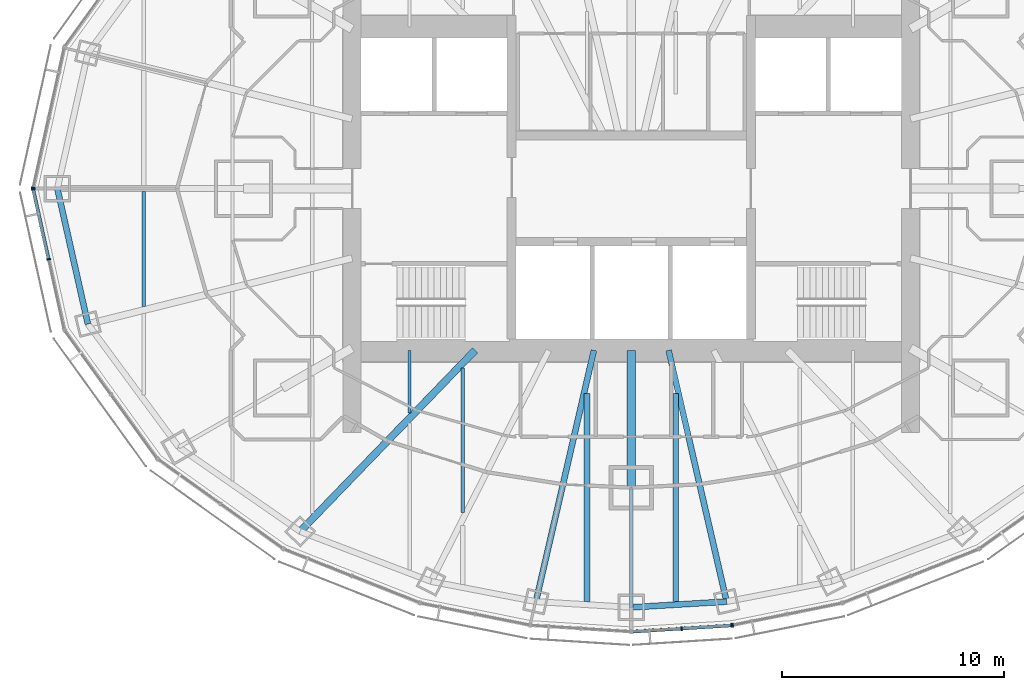
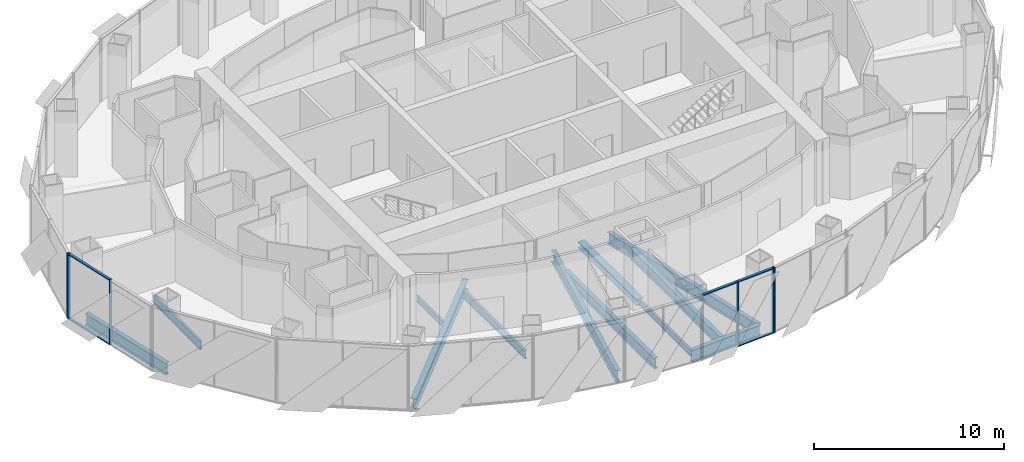
# One storey, part 3 of 18: 12 beams, 11 members, 4 elements without a shape of their own.
"""IFC4 building model written with IfcOpenShell, lengths in metres."""

import ifcopenshell
import ifcopenshell.guid

model = None  # the IFC model being written
_history = None  # IfcOwnerHistory: only IFC2X3 demands one
_inside = {}  # id of a spatial element -> (the spatial element, [elements in it])
_under = {}  # id of a project, library or spatial element -> (it, [spatial elements below it])
_declared = {}  # id of a project -> (the project, [libraries it declares])
_typed = {}  # id of a type object -> (the type object, [elements of that type])
_made_of = {}  # id of a material, layer set ... -> (it, [elements and type objects made of it])


def new_model(schema):
    """Start an empty IFC model of exactly this schema.

    Asked for "IFC4X3", IfcOpenShell would pick the latest addendum, in which some entities
    have other attributes; the version numbers below select the first issue.
    IFC2X3 requires an IfcOwnerHistory on every rooted entity: one is made here for all.
    """
    global model, _history
    if schema == "IFC4X3":
        model = ifcopenshell.file(schema_version=(4, 3, 0, 0))
    else:
        model = ifcopenshell.file(schema=schema)
    _inside.clear()
    _under.clear()
    _declared.clear()
    _typed.clear()
    _made_of.clear()
    _history = None
    if model.schema == "IFC2X3":
        org = make("IfcOrganization", Name="unknown")
        user = make(
            "IfcPersonAndOrganization",
            ThePerson=make("IfcPerson", FamilyName="unknown"),
            TheOrganization=org,
        )
        app = make(
            "IfcApplication",
            ApplicationDeveloper=org,
            Version="unknown",
            ApplicationFullName="unknown",
            ApplicationIdentifier="unknown",
        )
        _history = make(
            "IfcOwnerHistory",
            OwningUser=user,
            OwningApplication=app,
            ChangeAction="ADDED",
            CreationDate=0,
        )
    return model


def make(cls, **values):
    """One entity of the class cls with the attributes given. An attribute that is None is left unset."""
    return model.create_entity(
        cls, **{name: value for name, value in values.items() if value is not None}
    )


def rooted(cls, **values):
    """An entity with a GlobalId (a new one), such as an element, a storey or a relation."""
    return make(cls, GlobalId=ifcopenshell.guid.new(), OwnerHistory=_history, **values)


def si_unit(unit_type, name, prefix=None):
    """IfcSIUnit, for example si_unit("LENGTHUNIT", "METRE", prefix="MILLI")."""
    return make("IfcSIUnit", UnitType=unit_type, Prefix=prefix, Name=name)


def assignment(units):
    """IfcUnitAssignment: the units of a project."""
    return None if units is None else make("IfcUnitAssignment", Units=units)


def point(xyz):
    """IfcCartesianPoint."""
    return None if xyz is None else make("IfcCartesianPoint", Coordinates=xyz)


def direction(xyz):
    """IfcDirection."""
    return None if xyz is None else make("IfcDirection", DirectionRatios=xyz)


def frame(location, z_axis=None, x_axis=None):
    """IfcAxis2Placement3D, a coordinate frame: its origin and axes. An axis left out is left unset."""
    return make(
        "IfcAxis2Placement3D",
        Location=point(location),
        Axis=direction(z_axis),
        RefDirection=direction(x_axis),
    )


def frame_2d(location, x_axis=None):
    """IfcAxis2Placement2D, a coordinate frame in the plane: its origin and x axis."""
    return make(
        "IfcAxis2Placement2D", Location=point(location), RefDirection=direction(x_axis)
    )


def origin():
    """The frame at (0, 0, 0) with its axes left unset."""
    return frame((0.0, 0.0, 0.0))


def origin_2d():
    """The frame at (0, 0) in the plane with its x axis left unset."""
    return frame_2d((0.0, 0.0))


def place(relative_to, where):
    """IfcLocalPlacement: puts the frame where relative to a parent placement (None: the world)."""
    return make(
        "IfcLocalPlacement", PlacementRelTo=relative_to, RelativePlacement=where
    )


def context(
    kind, dimensions, precision=None, world=None, true_north=None, identifier=None
):
    """IfcGeometricRepresentationContext, for example the 3D "Model" context."""
    return make(
        "IfcGeometricRepresentationContext",
        ContextIdentifier=identifier,
        ContextType=kind,
        CoordinateSpaceDimension=dimensions,
        Precision=precision,
        WorldCoordinateSystem=world,
        TrueNorth=true_north,
    )


def subcontext(parent, identifier, kind, view, scale=None):
    """IfcGeometricRepresentationSubContext, for example "Body" below "Model"."""
    return make(
        "IfcGeometricRepresentationSubContext",
        ContextIdentifier=identifier,
        ContextType=kind,
        ParentContext=parent,
        TargetScale=scale,
        TargetView=view,
    )


def project(units=None, contexts=None):
    """IfcProject with its units and contexts."""
    return rooted(
        "IfcProject",
        Name="project",
        RepresentationContexts=contexts,
        UnitsInContext=assignment(units),
    )


def spatial(cls, under=None, at=None, **own):
    """A site, building, storey or space (cls), placed at a placement, below another one or the project."""
    s = rooted(cls, ObjectPlacement=at, **own)
    if under is not None:
        _under.setdefault(under.id(), (under, []))[1].append(s)
    return s


def profile(cls, at=None, kind="AREA", **sizes):
    """A parametric profile (cls). Its sizes go by their IFC names, for example OverallWidth=200.0."""
    return make(cls, ProfileType=kind, Position=at, **sizes)


def rectangle(**sizes):
    """IfcRectangleProfileDef."""
    return profile("IfcRectangleProfileDef", **sizes)


def i_section(**sizes):
    """IfcIShapeProfileDef."""
    return profile("IfcIShapeProfileDef", **sizes)


def extrude(swept, where, along, depth):
    """IfcExtrudedAreaSolid: the profile swept, set in the frame where, extruded along a direction by depth."""
    return make(
        "IfcExtrudedAreaSolid",
        SweptArea=swept,
        Position=where,
        ExtrudedDirection=direction(along),
        Depth=depth,
    )


def shape(context_of_items, identifier, shape_type, items):
    """IfcShapeRepresentation: the items that make up one representation, for example the "Body"."""
    return make(
        "IfcShapeRepresentation",
        ContextOfItems=context_of_items,
        RepresentationIdentifier=identifier,
        RepresentationType=shape_type,
        Items=items,
    )


def material(Name=None, Category=None):
    """IfcMaterial."""
    return make("IfcMaterial", Name=Name, Category=Category)


def material_profile(
    of_material, cross_section, Name=None, Category=None, Priority=None
):
    """IfcMaterialProfile: a cross section and its material."""
    return make(
        "IfcMaterialProfile",
        Name=Name,
        Material=of_material,
        Profile=cross_section,
        Priority=Priority,
        Category=Category,
    )


def profile_set(profiles, Name=None, composite=None):
    """IfcMaterialProfileSet."""
    return make(
        "IfcMaterialProfileSet",
        Name=Name,
        MaterialProfiles=profiles,
        CompositeProfile=composite,
    )


def made_of(thing, what):
    """Note that an element or type object is made of a material, layer set ...; save() writes the relation."""
    if what is not None:
        _made_of.setdefault(what.id(), (what, []))[1].append(thing)
    return thing


def type_object(cls, material=None, **own):
    """A type object (cls), such as IfcWallType, which elements share."""
    return made_of(rooted(cls, **own), material)


def element(
    cls,
    number,
    at=None,
    inside=None,
    cuts=None,
    type_object=None,
    material=None,
    context=None,
    identifier="Body",
    shape_type=None,
    held_by="IfcProductDefinitionShape",
    body=None,
    shapes=None,
    **own,
):
    """One element of the class cls, such as IfcWall. Its Tag is "e" and its number.

    at: its placement. inside: the storey or other place that contains it. cuts: it is an
    opening in that element (IfcRelVoidsElement). A single representation is given by context,
    identifier, shape_type and body (its items); several are given by shapes. held_by: the class
    of the entity that holds the representations. save() writes the other relations.
    """
    e = rooted(cls, Tag="e%d" % number, ObjectPlacement=at, **own)
    if body is not None:
        shapes = [shape(context, identifier, shape_type, body)]
    if shapes is not None:
        e.Representation = make(held_by, Representations=shapes)
    if inside is not None:
        _inside.setdefault(inside.id(), (inside, []))[1].append(e)
    if cuts is not None:
        rooted(
            "IfcRelVoidsElement", RelatingBuildingElement=cuts, RelatedOpeningElement=e
        )
    if type_object is not None:
        _typed.setdefault(type_object.id(), (type_object, []))[1].append(e)
    return made_of(e, material)


def aggregate(whole, parts):
    """IfcRelAggregates: a whole, such as a stair, and the parts it consists of."""
    return rooted("IfcRelAggregates", RelatingObject=whole, RelatedObjects=parts)


def save(model, path):
    """Write the relations noted so far, then the file.

    IfcRelAggregates (storeys below a building ...), IfcRelContainedInSpatialStructure (elements
    in a storey), IfcRelDefinesByType, IfcRelAssociatesMaterial and IfcRelDeclares: one each for
    every whole, place, type object, material and project.
    """
    for whole, parts in _under.values():
        aggregate(whole, parts)
    for where, things in _inside.values():
        rooted(
            "IfcRelContainedInSpatialStructure",
            RelatedElements=things,
            RelatingStructure=where,
        )
    for kind, things in _typed.values():
        rooted("IfcRelDefinesByType", RelatedObjects=things, RelatingType=kind)
    for what, things in _made_of.values():
        rooted("IfcRelAssociatesMaterial", RelatedObjects=things, RelatingMaterial=what)
    for by, libraries in _declared.values():
        rooted("IfcRelDeclares", RelatingContext=by, RelatedDefinitions=libraries)
    model.write(path)


model = new_model("IFC4")

# Units and contexts
model_context = context("Model", 3, precision=1e-05, world=origin(), true_north=direction((0.0, 1.0)))
body_context = subcontext(model_context, "Body", "Model", "MODEL_VIEW")
ifc_project = project(units=[si_unit("LENGTHUNIT", "METRE"), si_unit("AREAUNIT", "SQUARE_METRE"), si_unit("VOLUMEUNIT", "CUBIC_METRE"), si_unit("PLANEANGLEUNIT", "RADIAN"), si_unit("MASSUNIT", "GRAM", prefix="KILO")], contexts=[model_context])

# Site, building, storey
site_placement = place(None, origin())
site = spatial("IfcSite", under=ifc_project, at=site_placement, CompositionType="ELEMENT")
building_placement = place(site_placement, origin())
building = spatial("IfcBuilding", under=site, at=building_placement, Name="Lantaw Convention Tower", CompositionType="ELEMENT")
storey_placement = place(building_placement, frame((0.0, 0.0, 257.800048828125)))
storey = spatial("IfcBuildingStorey", under=building, at=storey_placement, Name="L60", CompositionType="ELEMENT", Elevation=257.800048828125)

# Beams
ifc_material_1 = material(Name="Steel ASTM A992", Category="steel")
ifc_material_profile_1 = material_profile(ifc_material_1, i_section(OverallWidth=0.2666015625, OverallDepth=0.76953125, WebThickness=0.015625, FlangeThickness=0.025390625, FilletRadius=0.0126953125, at=origin_2d()), Name="W30X132")
ifc_profile_set_1 = profile_set([ifc_material_profile_1], Name="Steel ASTM A992")
beam_type_1 = type_object("IfcBeamType", Name="Beam E W30X132", PredefinedType="SPANDREL", material=ifc_profile_set_1)
beam_1_placement = place(storey_placement, frame((-25.89990234375, 0.0, -0.534912109375), z_axis=(0.219857926596, -0.97553190215, 0.0), x_axis=(0.97553190215, 0.219857926596, 0.0)))
element("IfcBeam", 1, at=beam_1_placement, inside=storey, type_object=beam_type_1, Name="Edge beam 13", PredefinedType="SPANDREL", context=body_context, shape_type="SweptSolid", body=[
    extrude(i_section(OverallWidth=0.2666015625, OverallDepth=0.76953125, WebThickness=0.015625, FlangeThickness=0.025390625, FilletRadius=0.0126953125, at=origin_2d()), origin(), (0.0, 0.0, 1.0), 6.267333984375),
])
beam_2_placement = place(storey_placement, frame((0.0, -18.89990234375, -0.534912109375), z_axis=(0.998210730897, 0.059794119452, 0.0), x_axis=(-0.059794119452, 0.998210730897, 0.0)))
element("IfcBeam", 2, at=beam_2_placement, inside=storey, type_object=beam_type_1, Name="Edge beam 19", PredefinedType="SPANDREL", context=body_context, shape_type="SweptSolid", body=[
    extrude(i_section(OverallWidth=0.2666015625, OverallDepth=0.76953125, WebThickness=0.015625, FlangeThickness=0.025390625, FilletRadius=0.0126953125, at=origin_2d()), origin(), (0.0, 0.0, 1.0), 4.311767578125),
])
ifc_material_profile_2 = material_profile(ifc_material_1, i_section(OverallWidth=0.140380859375, OverallDepth=0.40380859375, WebThickness=0.007080078125, FlangeThickness=0.01123046875, FilletRadius=0.01025390625, at=origin_2d()), Name="W16X31")
ifc_profile_set_2 = profile_set([ifc_material_profile_2], Name="Steel ASTM A992")
beam_type_2 = type_object("IfcBeamType", Name="Beam G W16X31", PredefinedType="BEAM", material=ifc_profile_set_2)
beam_3_placement = place(storey_placement, frame((0.0, -13.5, -0.35205078125), z_axis=(0.0, -1.0, 0.0), x_axis=(1.0, 0.0, 0.0)))
element("IfcBeam", 3, at=beam_3_placement, inside=storey, type_object=beam_type_2, Name="Floor girder on ray 19", PredefinedType="BEAM", context=body_context, shape_type="SweptSolid", body=[
    extrude(i_section(OverallWidth=0.140380859375, OverallDepth=0.40380859375, WebThickness=0.007080078125, FlangeThickness=0.01123046875, FilletRadius=0.01025390625, at=origin_2d()), origin(), (0.0, 0.0, 1.0), 5.39990234375),
])
ifc_material_profile_3 = material_profile(ifc_material_1, i_section(OverallWidth=0.32763671875, OverallDepth=0.64013671875, WebThickness=0.01904296875, FlangeThickness=0.033935546875, FilletRadius=0.0126953125, at=origin_2d()), Name="W24X176")
ifc_profile_set_3 = profile_set([ifc_material_profile_3], Name="Steel ASTM A992")
beam_type_3 = type_object("IfcBeamType", Name="Beam G W24X176", PredefinedType="BEAM", material=ifc_profile_set_3)
beam_4_placement = place(storey_placement, frame((-7.049560546875, -7.300048828125, -0.469970703125), z_axis=(-0.694657766726, -0.719340383356, 0.0), x_axis=(0.719340383356, -0.694657766726, 0.0)))
element("IfcBeam", 4, at=beam_4_placement, inside=storey, type_object=beam_type_3, Name="Floor girder on ray 16", PredefinedType="BEAM", context=body_context, shape_type="SweptSolid", body=[
    extrude(i_section(OverallWidth=0.32763671875, OverallDepth=0.64013671875, WebThickness=0.01904296875, FlangeThickness=0.033935546875, FilletRadius=0.0126953125, at=origin_2d()), origin(), (0.0, 0.0, 1.0), 11.364990234375),
])
ifc_material_profile_4 = material_profile(ifc_material_1, i_section(OverallWidth=0.2666015625, OverallDepth=0.7568359375, WebThickness=0.013916015625, FlangeThickness=0.019287109375, FilletRadius=0.0126953125, at=origin_2d()), Name="W30X108")
ifc_profile_set_4 = profile_set([ifc_material_profile_4], Name="Steel ASTM A992")
beam_type_4 = type_object("IfcBeamType", Name="Beam G W30X108", PredefinedType="BEAM", material=ifc_profile_set_4)
for number, where, z_axis, x_axis, name in (
    (5, (-1.685302734375, -7.300048828125, -0.528564453125), (-0.224962134377, -0.974367506692, 0.0), (0.974367506692, -0.224962134377, 0.0), "Floor girder on ray 18"),
    (6, (1.685302734375, -7.300048828125, -0.528564453125), (0.224962134377, -0.974367506692, 0.0), (0.974367506692, 0.224962134377, 0.0), "Floor girder on ray 20"),
):
    element("IfcBeam", number, at=place(storey_placement, frame(where, z_axis=z_axis, x_axis=x_axis)), inside=storey, type_object=beam_type_4, Name=name, PredefinedType="BEAM", context=body_context, shape_type="SweptSolid", body=[
        extrude(i_section(OverallWidth=0.2666015625, OverallDepth=0.7568359375, WebThickness=0.013916015625, FlangeThickness=0.019287109375, FilletRadius=0.0126953125, at=origin_2d()), origin(), (0.0, 0.0, 1.0), 11.640380859375),
    ])
ifc_material_profile_5 = material_profile(ifc_material_1, i_section(OverallWidth=0.40380859375, OverallDepth=0.406494140625, WebThickness=0.027099609375, FlangeThickness=0.043701171875, FilletRadius=0.01513671875, at=origin_2d()), Name="W14X233")
ifc_profile_set_5 = profile_set([ifc_material_profile_5], Name="Steel ASTM A992")
beam_type_5 = type_object("IfcBeamType", Name="Beam GM W14X233", PredefinedType="BEAM", material=ifc_profile_set_5)
beam_5_placement = place(storey_placement, frame((0.0, -7.300048828125, -0.353271484375), z_axis=(0.0, -1.0, 0.0), x_axis=(1.0, 0.0, 0.0)))
element("IfcBeam", 7, at=beam_5_placement, inside=storey, type_object=beam_type_5, Name="Core link beam on ray 19", PredefinedType="BEAM", context=body_context, shape_type="SweptSolid", body=[
    extrude(i_section(OverallWidth=0.40380859375, OverallDepth=0.406494140625, WebThickness=0.027099609375, FlangeThickness=0.043701171875, FilletRadius=0.01513671875, at=origin_2d()), origin(), (0.0, 0.0, 1.0), 6.199951171875),
])
ifc_material_profile_6 = material_profile(ifc_material_1, i_section(OverallWidth=0.140380859375, OverallDepth=0.40380859375, WebThickness=0.007080078125, FlangeThickness=0.01123046875, FilletRadius=0.01025390625, at=origin_2d()), Name="W16X31")
ifc_profile_set_6 = profile_set([ifc_material_profile_6], Name="Steel ASTM A992")
beam_type_6 = type_object("IfcBeamType", Name="Beam J W16X31", PredefinedType="JOIST", material=ifc_profile_set_6)
beam_6_placement = place(storey_placement, frame((-10.0, -10.119384765625, -0.35205078125), z_axis=(0.0, 1.0, 0.0), x_axis=(-1.0, 0.0, 0.0)))
element("IfcBeam", 8, at=beam_6_placement, inside=storey, type_object=beam_type_6, Name="Floor joist", PredefinedType="JOIST", context=body_context, shape_type="SweptSolid", body=[
    extrude(i_section(OverallWidth=0.140380859375, OverallDepth=0.40380859375, WebThickness=0.007080078125, FlangeThickness=0.01123046875, FilletRadius=0.01025390625, at=origin_2d()), origin(), (0.0, 0.0, 1.0), 2.8193359375),
])
ifc_material_profile_7 = material_profile(ifc_material_1, i_section(OverallWidth=0.1650390625, OverallDepth=0.52587890625, WebThickness=0.0087890625, FlangeThickness=0.011474609375, FilletRadius=0.0126953125, at=origin_2d()), Name="W21X44")
ifc_profile_set_7 = profile_set([ifc_material_profile_7], Name="Steel ASTM A992")
beam_type_7 = type_object("IfcBeamType", Name="Beam J W21X44", PredefinedType="JOIST", material=ifc_profile_set_7)
beam_7_placement = place(storey_placement, frame((-22.0, -5.326904296875, -0.412841796875), z_axis=(0.0, 1.0, 0.0), x_axis=(-1.0, 0.0, 0.0)))
element("IfcBeam", 9, at=beam_7_placement, inside=storey, type_object=beam_type_7, Name="Floor joist", PredefinedType="JOIST", context=body_context, shape_type="SweptSolid", body=[
    extrude(i_section(OverallWidth=0.1650390625, OverallDepth=0.52587890625, WebThickness=0.0087890625, FlangeThickness=0.011474609375, FilletRadius=0.0126953125, at=origin_2d()), origin(), (0.0, 0.0, 1.0), 5.199951171875),
])
beam_8_placement = place(storey_placement, frame((-7.60009765625, -14.6220703125, -0.412841796875), z_axis=(0.0, 1.0, 0.0), x_axis=(-1.0, 0.0, 0.0)))
element("IfcBeam", 10, at=beam_8_placement, inside=storey, type_object=beam_type_7, Name="Floor joist", PredefinedType="JOIST", context=body_context, shape_type="SweptSolid", body=[
    extrude(i_section(OverallWidth=0.1650390625, OverallDepth=0.52587890625, WebThickness=0.0087890625, FlangeThickness=0.011474609375, FilletRadius=0.0126953125, at=origin_2d()), origin(), (0.0, 0.0, 1.0), 6.51611328125),
])
ifc_material_profile_8 = material_profile(ifc_material_1, i_section(OverallWidth=0.25390625, OverallDepth=0.683349609375, WebThickness=0.012451171875, FlangeThickness=0.01904296875, FilletRadius=0.01513671875, at=origin_2d()), Name="W27X94")
ifc_profile_set_8 = profile_set([ifc_material_profile_8], Name="Steel ASTM A992")
beam_type_8 = type_object("IfcBeamType", Name="Beam J W27X94", PredefinedType="JOIST", material=ifc_profile_set_8)
for number, where, z_axis, x_axis, name in (
    (11, (-2.0, -18.646484375, -0.49169921875), (0.0, 1.0, 0.0), (-1.0, 0.0, 0.0), "Floor joist"),
    (12, (2.0, -18.646484375, -0.49169921875), (0.0, 1.0, 0.0), (-1.0, 0.0, 0.0), "Floor joist"),
):
    element("IfcBeam", number, at=place(storey_placement, frame(where, z_axis=z_axis, x_axis=x_axis)), inside=storey, type_object=beam_type_8, Name=name, PredefinedType="JOIST", context=body_context, shape_type="SweptSolid", body=[
        extrude(i_section(OverallWidth=0.25390625, OverallDepth=0.683349609375, WebThickness=0.012451171875, FlangeThickness=0.01904296875, FilletRadius=0.01513671875, at=origin_2d()), origin(), (0.0, 0.0, 1.0), 9.390625),
    ])

# Curtain wall, member
ifc_material_2 = material(Name="Aluminium framed curtain wall", Category="aluminium")
curtain_wall_type = type_object("IfcCurtainWallType", Name="Office curtain wall high rise, pale aluminium", PredefinedType="USERDEFINED", material=ifc_material_2)
curtain_wall_1_placement = place(storey_placement, origin())
curtain_wall_1 = element("IfcCurtainWall", 13, at=curtain_wall_1_placement, inside=storey, type_object=curtain_wall_type, Name="Office curtain wall high rise, pale aluminium L60", ObjectType="UNITISED CURTAIN WALL", PredefinedType="USERDEFINED")
ifc_material_3 = material(Name="Aluminium 6063-T6", Category="aluminium")
ifc_material_profile_9 = material_profile(ifc_material_3, rectangle(XDim=0.179931640625, YDim=0.06494140625, at=origin_2d()), Name="CW-O2 mullion 65x180")
ifc_profile_set_9 = profile_set([ifc_material_profile_9], Name="Aluminium 6063-T6")
member_type_1 = type_object("IfcMemberType", Name="CW-O2 mullion 65x180", PredefinedType="MULLION", material=ifc_profile_set_9)
member_1_placement = place(storey_placement, frame((-26.992919921875, 0.03173828125, -0.150146484375), z_axis=(0.0, 0.0, 1.0), x_axis=(0.976417396437, -0.215891333626, 0.0)))
member_1 = element("IfcMember", 14, at=member_1_placement, type_object=member_type_1, Name="CW-O2 mullion 3", PredefinedType="MULLION", context=body_context, shape_type="SweptSolid", body=[
    extrude(rectangle(XDim=0.179931640625, YDim=0.06494140625, at=origin_2d()), origin(), (0.0, 0.0, 1.0), 4.2001953125),
])
aggregate(curtain_wall_1, [member_1])

# Curtain wall, members
curtain_wall_2_placement = place(storey_placement, origin())
curtain_wall_2 = element("IfcCurtainWall", 15, at=curtain_wall_2_placement, inside=storey, type_object=curtain_wall_type, Name="Office curtain wall high rise, pale aluminium L60", ObjectType="UNITISED CURTAIN WALL", PredefinedType="USERDEFINED")
member_2_placement = place(storey_placement, frame((-26.992919921875, -0.03173828125, -0.150146484375), z_axis=(0.0, 0.0, 1.0), x_axis=(0.976417396437, 0.215891333626, 0.0)))
member_2 = element("IfcMember", 16, at=member_2_placement, type_object=member_type_1, Name="CW-O2 mullion 1", PredefinedType="MULLION", context=body_context, shape_type="SweptSolid", body=[
    extrude(rectangle(XDim=0.179931640625, YDim=0.06494140625, at=origin_2d()), origin(), (0.0, 0.0, 1.0), 4.2001953125),
])
member_3_placement = place(storey_placement, frame((-26.294677734375, -3.190185546875, -0.150146484375), z_axis=(0.0, 0.0, 1.0), x_axis=(0.976417396437, 0.215891333626, 0.0)))
member_3 = element("IfcMember", 17, at=member_3_placement, type_object=member_type_1, Name="CW-O2 mullion 2", PredefinedType="MULLION", context=body_context, shape_type="SweptSolid", body=[
    extrude(rectangle(XDim=0.179931640625, YDim=0.06494140625, at=origin_2d()), origin(), (0.0, 0.0, 1.0), 4.2001953125),
])

curtain_wall_3_placement = place(storey_placement, origin())
curtain_wall_3 = element("IfcCurtainWall", 18, at=curtain_wall_3_placement, inside=storey, type_object=curtain_wall_type, Name="Office curtain wall high rise, pale aluminium L60", ObjectType="UNITISED CURTAIN WALL", PredefinedType="USERDEFINED")
member_4_placement = place(storey_placement, frame((2.275634765625, -19.85693359375, -0.150146484375), z_axis=(0.0, 0.0, 1.0), x_axis=(-0.062757983884, 0.998028774865, 0.0)))
member_4 = element("IfcMember", 19, at=member_4_placement, type_object=member_type_1, Name="CW-O2 mullion 2", PredefinedType="MULLION", context=body_context, shape_type="SweptSolid", body=[
    extrude(rectangle(XDim=0.179931640625, YDim=0.06494140625, at=origin_2d()), origin(), (0.0, 0.0, 1.0), 4.2001953125),
])
member_5_placement = place(storey_placement, frame((4.518798828125, -19.7158203125, -0.150146484375), z_axis=(0.0, 0.0, 1.0), x_axis=(-0.062757983884, 0.998028774865, 0.0)))
member_5 = element("IfcMember", 20, at=member_5_placement, type_object=member_type_1, Name="CW-O2 mullion 3", PredefinedType="MULLION", context=body_context, shape_type="SweptSolid", body=[
    extrude(rectangle(XDim=0.179931640625, YDim=0.06494140625, at=origin_2d()), origin(), (0.0, 0.0, 1.0), 4.2001953125),
])

# Curtain wall, member
curtain_wall_4_placement = place(storey_placement, origin())
curtain_wall_4 = element("IfcCurtainWall", 21, at=curtain_wall_4_placement, inside=storey, type_object=curtain_wall_type, Name="Office curtain wall high rise, pale aluminium L60", ObjectType="UNITISED CURTAIN WALL", PredefinedType="USERDEFINED")
member_6_placement = place(storey_placement, frame((4.583251953125, -19.70751953125, -0.150146484375), z_axis=(0.0, 0.0, 1.0), x_axis=(-0.197183095987, 0.980366679695, 0.0)))
member_6 = element("IfcMember", 22, at=member_6_placement, type_object=member_type_1, Name="CW-O2 mullion 1", PredefinedType="MULLION", context=body_context, shape_type="SweptSolid", body=[
    extrude(rectangle(XDim=0.179931640625, YDim=0.06494140625, at=origin_2d()), origin(), (0.0, 0.0, 1.0), 4.2001953125),
])
aggregate(curtain_wall_4, [member_6])

# Member
ifc_material_profile_10 = material_profile(ifc_material_3, rectangle(XDim=0.14990234375, YDim=0.06494140625, at=origin_2d()), Name="CW-O2 transom 65x150")
ifc_profile_set_10 = profile_set([ifc_material_profile_10], Name="Aluminium 6063-T6")
member_type_2 = type_object("IfcMemberType", Name="CW-O2 transom 65x150", PredefinedType="USERDEFINED", material=ifc_profile_set_10)
member_7_placement = place(storey_placement, frame((-26.986083984375, -0.0634765625, -0.117431640625), z_axis=(0.215894607042, -0.976416672661, 0.0), x_axis=(0.976416672661, 0.215894607042, 0.0)))
member_7 = element("IfcMember", 23, at=member_7_placement, type_object=member_type_2, Name="CW-O2 transom 1.1", ObjectType="TRANSOM", PredefinedType="USERDEFINED", context=body_context, shape_type="SweptSolid", body=[
    extrude(rectangle(XDim=0.14990234375, YDim=0.06494140625, at=origin_2d()), origin(), (0.0, 0.0, 1.0), 3.169677734375),
])

member_8_placement = place(storey_placement, frame((-26.986083984375, -0.0634765625, 4.017333984375), z_axis=(0.215894607042, -0.976416672661, 0.0), x_axis=(0.976416672661, 0.215894607042, 0.0)))
member_8 = element("IfcMember", 24, at=member_8_placement, type_object=member_type_2, Name="CW-O2 transom 1.2", ObjectType="TRANSOM", PredefinedType="USERDEFINED", context=body_context, shape_type="SweptSolid", body=[
    extrude(rectangle(XDim=0.14990234375, YDim=0.06494140625, at=origin_2d()), origin(), (0.0, 0.0, 1.0), 3.169677734375),
])

aggregate(curtain_wall_2, [member_2, member_3, member_7, member_8])

member_9_placement = place(storey_placement, frame((0.06494140625, -19.995849609375, 4.017333984375), z_axis=(0.998029003644, 0.062754345555, 0.0), x_axis=(-0.062754345555, 0.998029003644, 0.0)))
member_9 = element("IfcMember", 25, at=member_9_placement, type_object=member_type_2, Name="CW-O2 transom 1.2", ObjectType="TRANSOM", PredefinedType="USERDEFINED", context=body_context, shape_type="SweptSolid", body=[
    extrude(rectangle(XDim=0.14990234375, YDim=0.06494140625, at=origin_2d()), origin(), (0.0, 0.0, 1.0), 2.1826171875),
])

member_10_placement = place(storey_placement, frame((2.30810546875, -19.85498046875, -0.117431640625), z_axis=(0.998021991509, 0.062865765437, 0.0), x_axis=(-0.062865765437, 0.998021991509, 0.0)))
member_10 = element("IfcMember", 26, at=member_10_placement, type_object=member_type_2, Name="CW-O2 transom 2.1", ObjectType="TRANSOM", PredefinedType="USERDEFINED", context=body_context, shape_type="SweptSolid", body=[
    extrude(rectangle(XDim=0.14990234375, YDim=0.06494140625, at=origin_2d()), origin(), (0.0, 0.0, 1.0), 2.1826171875),
])

member_11_placement = place(storey_placement, frame((2.30810546875, -19.85498046875, 4.017333984375), z_axis=(0.998021991509, 0.062865765437, 0.0), x_axis=(-0.062865765437, 0.998021991509, 0.0)))
member_11 = element("IfcMember", 27, at=member_11_placement, type_object=member_type_2, Name="CW-O2 transom 2.2", ObjectType="TRANSOM", PredefinedType="USERDEFINED", context=body_context, shape_type="SweptSolid", body=[
    extrude(rectangle(XDim=0.14990234375, YDim=0.06494140625, at=origin_2d()), origin(), (0.0, 0.0, 1.0), 2.1826171875),
])

aggregate(curtain_wall_3, [member_4, member_5, member_9, member_10, member_11])

save(model, "model.ifc")
